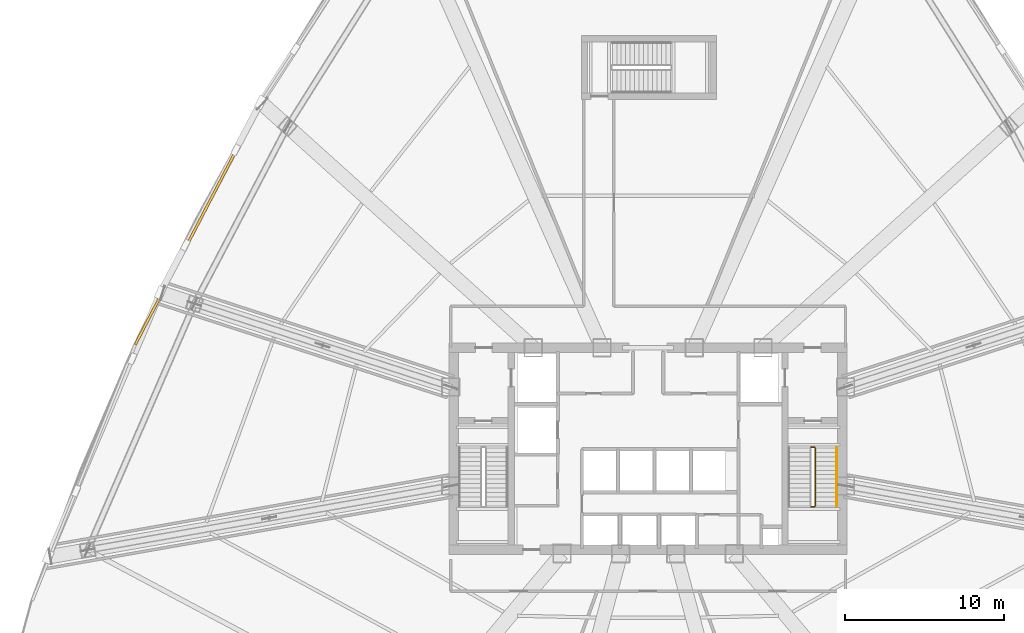
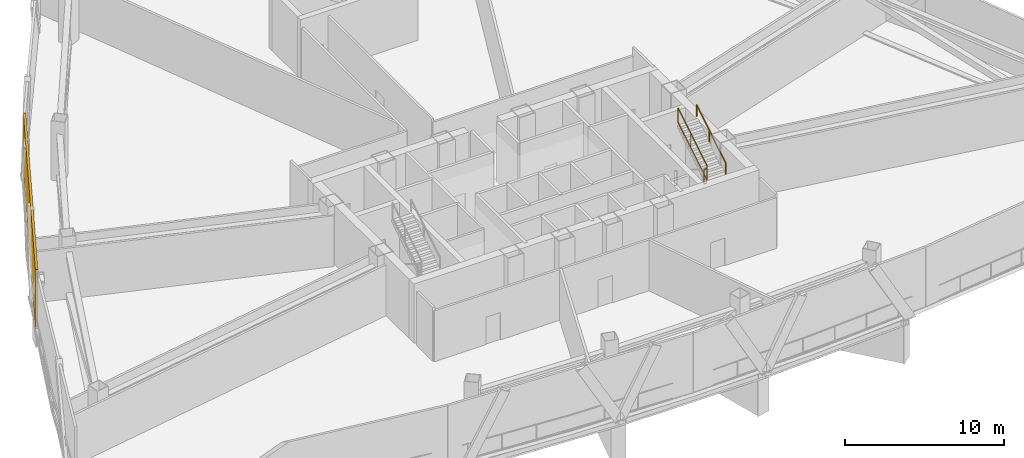
# One storey, part 14 of 17: 4 railings, 1 shading device.
"""IFC4 building model written with IfcOpenShell, lengths in metres."""

from ifc_helpers import new_model, si_unit, direction, frame, origin, origin_2d, place, context, subcontext, project, spatial, rectangle, extrude, source, transform, mapped, material, layer, layer_set, type_object, element, save


model = new_model("IFC4")

# Units and contexts
model_context = context("Model", 3, precision=1e-05, world=origin(), true_north=direction((0.0, 1.0)))
body_context = subcontext(model_context, "Body", "Model", "MODEL_VIEW")
ifc_project = project(units=[si_unit("LENGTHUNIT", "METRE"), si_unit("AREAUNIT", "SQUARE_METRE"), si_unit("VOLUMEUNIT", "CUBIC_METRE"), si_unit("PLANEANGLEUNIT", "RADIAN"), si_unit("MASSUNIT", "GRAM", prefix="KILO"), si_unit("THERMODYNAMICTEMPERATUREUNIT", "KELVIN"), si_unit("POWERUNIT", "WATT")], contexts=[model_context])

# Site, building, storey
site_placement = place(None, origin())
site = spatial("IfcSite", under=ifc_project, at=site_placement, CompositionType="ELEMENT")
building_placement = place(site_placement, origin())
building = spatial("IfcBuilding", under=site, at=building_placement, Name="Yunzhuo Pagoda Commons", CompositionType="ELEMENT")
storey_placement = place(building_placement, frame((0.0, 0.0, 176.159912109375)))
storey = spatial("IfcBuildingStorey", under=building, at=storey_placement, Name="L44", CompositionType="ELEMENT", Elevation=176.159912109375)

# Railings
ifc_material = material(Name="Anodized aluminium 6063-T6", Category="aluminium")
railing_type_1 = type_object("IfcRailingType", Name="GR-ST2 Stair Well Guardrail 1160", PredefinedType="GUARDRAIL", material=ifc_material)
railing_1_placement = place(storey_placement, frame((58.25, 30.2099609375, 2.400146484375)))
element("IfcRailing", 1, at=railing_1_placement, inside=storey, type_object=railing_type_1, Name="L44 ST2 stair guard 2", PredefinedType="GUARDRAIL", context=body_context, shape_type="SweptSolid", body=[
    extrude(rectangle(XDim=0.048095703125, YDim=0.048095703125, at=origin_2d()), frame((0.0, 0.0, 1.1259765625), z_axis=(1.0, 0.0, 0.0), x_axis=(0.0, 1.0, 0.0)), (0.0, 0.0, 1.0), 0.199951171875),
    extrude(rectangle(XDim=0.048095703125, YDim=0.048095703125, at=origin_2d()), frame((0.0, 0.0, 0.02392578125), z_axis=(1.0, 0.0, 0.0), x_axis=(0.0, 1.0, 0.0)), (0.0, 0.0, 1.0), 0.199951171875),
    extrude(rectangle(XDim=0.0419921875, YDim=0.0419921875, at=origin_2d()), origin(), (0.0, 0.0, 1.0), 1.101806640625),
    extrude(rectangle(XDim=0.0419921875, YDim=0.0419921875, at=origin_2d()), frame((0.199951171875, 0.0, 0.0)), (0.0, 0.0, 1.0), 1.101806640625),
])
railing_2_placement = place(storey_placement, frame((58.5, 30.260009765625, 2.571533203125)))
element("IfcRailing", 2, at=railing_2_placement, inside=storey, type_object=railing_type_1, Name="L44 ST2 stair guard 3", PredefinedType="GUARDRAIL", context=body_context, shape_type="SweptSolid", body=[
    extrude(rectangle(XDim=0.048095703125, YDim=0.048095703125, at=origin_2d()), frame((0.0, 0.0, 1.1259765625), z_axis=(0.0, 0.852850264322, 0.5221555579), x_axis=(-1.0, 0.0, 0.0)), (0.0, 0.0, 1.0), 4.267822265625),
    extrude(rectangle(XDim=0.048095703125, YDim=0.048095703125, at=origin_2d()), frame((0.0, 0.0, 0.02392578125), z_axis=(0.0, 0.852850264322, 0.5221555579), x_axis=(-1.0, 0.0, 0.0)), (0.0, 0.0, 1.0), 4.267822265625),
    extrude(rectangle(XDim=0.0419921875, YDim=0.0419921875, at=origin_2d()), origin(), (0.0, 0.0, 1.0), 1.101806640625),
    extrude(rectangle(XDim=0.0419921875, YDim=0.0419921875, at=origin_2d()), frame((0.0, 2.046875, 1.253173828125)), (0.0, 0.0, 1.0), 1.101806640625),
    extrude(rectangle(XDim=0.0419921875, YDim=0.0419921875, at=origin_2d()), frame((0.0, 3.639892578125, 2.228515625)), (0.0, 0.0, 1.0), 1.101806640625),
])
railing_3_placement = place(storey_placement, frame((58.25, 33.949951171875, 0.0)))
element("IfcRailing", 3, at=railing_3_placement, inside=storey, type_object=railing_type_1, Name="L44 ST2 stair guard 4", PredefinedType="GUARDRAIL", context=body_context, shape_type="SweptSolid", body=[
    extrude(rectangle(XDim=0.048095703125, YDim=0.048095703125, at=origin_2d()), frame((0.0, 0.0, 1.1259765625), z_axis=(1.0, 0.0, 0.0), x_axis=(0.0, 1.0, 0.0)), (0.0, 0.0, 1.0), 0.199951171875),
    extrude(rectangle(XDim=0.048095703125, YDim=0.048095703125, at=origin_2d()), frame((0.0, 0.0, 0.02392578125), z_axis=(1.0, 0.0, 0.0), x_axis=(0.0, 1.0, 0.0)), (0.0, 0.0, 1.0), 0.199951171875),
    extrude(rectangle(XDim=0.0419921875, YDim=0.0419921875, at=origin_2d()), origin(), (0.0, 0.0, 1.0), 1.101806640625),
    extrude(rectangle(XDim=0.0419921875, YDim=0.0419921875, at=origin_2d()), frame((0.199951171875, 0.0, 0.0)), (0.0, 0.0, 1.0), 1.101806640625),
])
railing_type_2 = type_object("IfcRailingType", Name="HR-ST2 Stair Handrail 900", PredefinedType="HANDRAIL", material=ifc_material)
railing_4_placement = place(storey_placement, frame((59.85009765625, 30.260009765625, 2.571533203125)))
element("IfcRailing", 4, at=railing_4_placement, inside=storey, type_object=railing_type_2, Name="L44 ST2 stair handrail 2", PredefinedType="HANDRAIL", context=body_context, shape_type="SweptSolid", body=[
    extrude(rectangle(XDim=0.048095703125, YDim=0.048095703125, at=origin_2d()), frame((0.0, 0.0, 0.8759765625), z_axis=(0.0, 0.852850264322, 0.5221555579), x_axis=(-1.0, 0.0, 0.0)), (0.0, 0.0, 1.0), 4.267822265625),
    extrude(rectangle(XDim=0.0419921875, YDim=0.0419921875, at=origin_2d()), origin(), (0.0, 0.0, 1.0), 0.851806640625),
    extrude(rectangle(XDim=0.0419921875, YDim=0.0419921875, at=origin_2d()), frame((0.0, 2.046875, 1.253173828125)), (0.0, 0.0, 1.0), 0.851806640625),
    extrude(rectangle(XDim=0.0419921875, YDim=0.0419921875, at=origin_2d()), frame((0.0, 3.639892578125, 2.228515625)), (0.0, 0.0, 1.0), 0.851806640625),
])

# Shading device
ifc_layer = layer(ifc_material, 0.159912109375)
ifc_layer_set = layer_set([ifc_layer], Name="Anodized aluminium 6063-T6")
shading_device_type = type_object("IfcShadingDeviceType", Name="SH-SCR1 Stormproof Refuge Louvre Screen", PredefinedType="JALOUSIE", material=ifc_layer_set)
shared_shape = source(origin(), body_context, "Body", "SweptSolid", [
    extrude(rectangle(XDim=17.1708984375, YDim=0.159912109375, at=origin_2d()), origin(), (0.0, 0.0, 1.0), 4.5400390625),
])
shading_device_placement = place(storey_placement, frame((19.751708984375, 48.03076171875, 0.0), z_axis=(0.0, 0.0, 1.0), x_axis=(-0.461206683033, -0.88729273384, 0.0)))
element("IfcShadingDevice", 5, at=shading_device_placement, inside=storey, type_object=shading_device_type, Name="L44 stormproof refuge louvre screen F3.3", PredefinedType="JALOUSIE", context=body_context, shape_type="MappedRepresentation", body=[
    mapped(shared_shape, transform((0.0, 0.0, 0.0), scale=1.0)),
])

save(model, "model.ifc")
